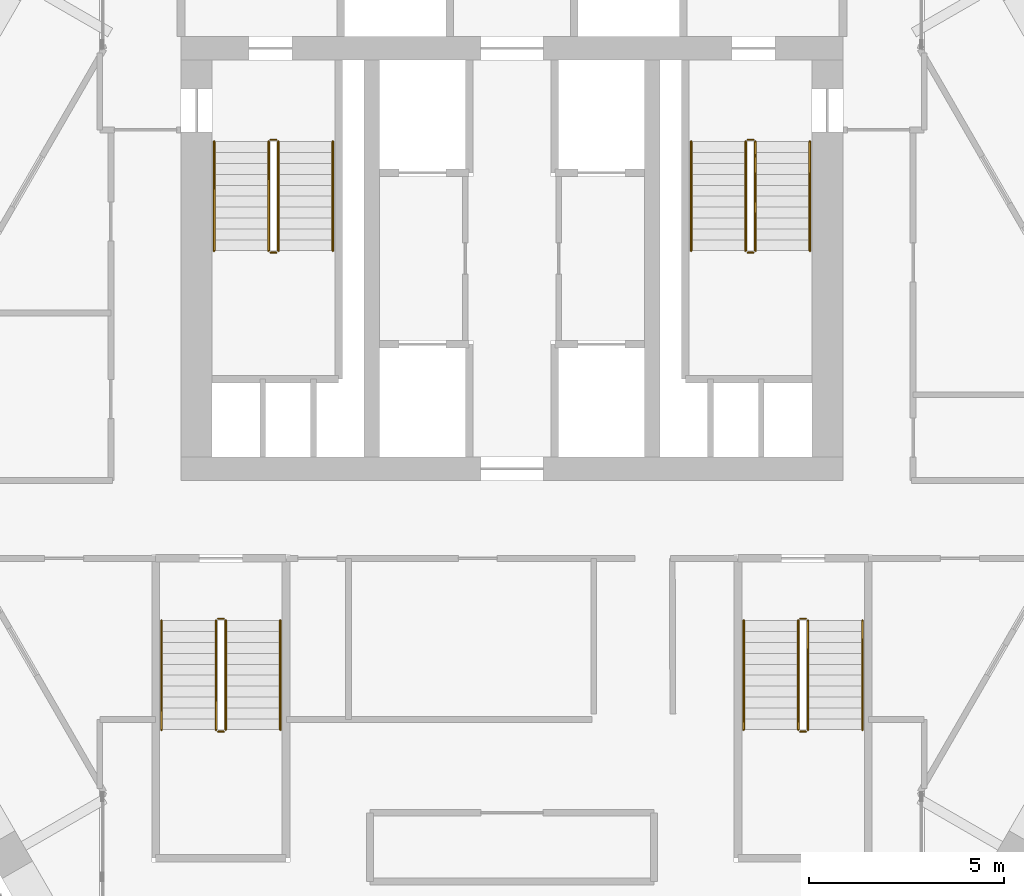
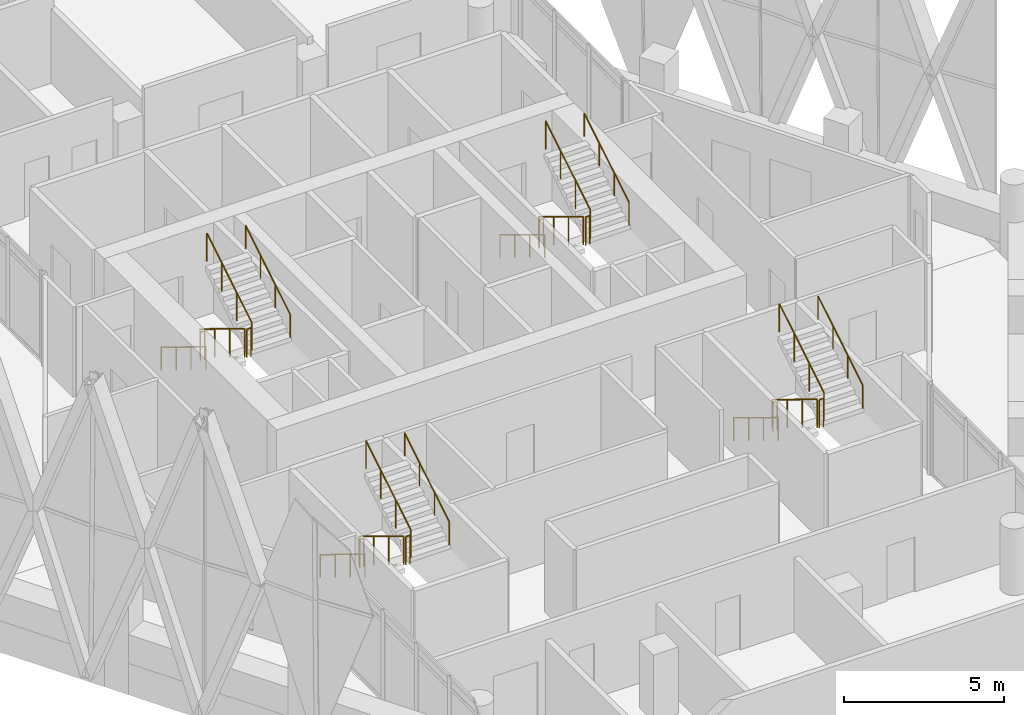
# One storey, part 37 of 37: 24 railings.
"""IFC4 building model written with IfcOpenShell, lengths in metres."""

from ifc_helpers import new_model, si_unit, direction, frame, origin, origin_2d, place, context, subcontext, project, spatial, circle, extrude, material, type_object, element, save


model = new_model("IFC4")

# Units and contexts
model_context = context("Model", 3, precision=1e-05, world=origin(), true_north=direction((0.0, 1.0)))
body_context = subcontext(model_context, "Body", "Model", "MODEL_VIEW")
ifc_project = project(units=[si_unit("LENGTHUNIT", "METRE"), si_unit("AREAUNIT", "SQUARE_METRE"), si_unit("VOLUMEUNIT", "CUBIC_METRE"), si_unit("PLANEANGLEUNIT", "RADIAN"), si_unit("MASSUNIT", "GRAM", prefix="KILO")], contexts=[model_context])

# Site, building, storey
site_placement = place(None, origin())
site = spatial("IfcSite", under=ifc_project, at=site_placement, CompositionType="ELEMENT")
building_placement = place(site_placement, origin())
building = spatial("IfcBuilding", under=site, at=building_placement, Name="Ostrander Bayou Hotel Tower", CompositionType="ELEMENT")
storey_placement = place(building_placement, frame((0.0, 0.0, 225.75)))
storey = spatial("IfcBuildingStorey", under=building, at=storey_placement, Name="L56", CompositionType="ELEMENT", Elevation=225.75)

# Railings
ifc_material_1 = material(Name="Steel ASTM A500 Gr C", Category="steel")
railing_type_1 = type_object("IfcRailingType", Name="GR1 stair guard 1100 mm steel", PredefinedType="GUARDRAIL", material=ifc_material_1)
railing_1_placement = place(storey_placement, frame((-6.25, 7.0, 0.17041015625)))
element("IfcRailing", 1, at=railing_1_placement, inside=storey, type_object=railing_type_1, Name="L56 STA stair guard 1", PredefinedType="GUARDRAIL", context=body_context, shape_type="SweptSolid", body=[
    extrude(circle(Radius=0.02392578125, at=origin_2d()), frame((0.0, 0.0, 1.076171875), z_axis=(0.0, -0.854169791009, 0.51999420009), x_axis=(1.0, 0.0, 0.0)), (0.0, 0.0, 1.0), 3.278076171875),
    extrude(circle(Radius=0.02099609375, at=origin_2d()), origin(), (0.0, 0.0, 1.0), 1.052001953125),
    extrude(circle(Radius=0.02099609375, at=origin_2d()), frame((0.0, -0.933349609375, 0.568115234375)), (0.0, 0.0, 1.0), 1.052001953125),
    extrude(circle(Radius=0.02099609375, at=origin_2d()), frame((0.0, -1.86669921875, 1.136474609375)), (0.0, 0.0, 1.0), 1.052001953125),
    extrude(circle(Radius=0.02099609375, at=origin_2d()), frame((0.0, -2.800048828125, 1.70458984375)), (0.0, 0.0, 1.0), 1.052001953125),
])
railing_2_placement = place(storey_placement, frame((-6.199951171875, 4.14990234375, 1.875)))
element("IfcRailing", 2, at=railing_2_placement, inside=storey, type_object=railing_type_1, Name="L56 STA stair guard 2", PredefinedType="GUARDRAIL", context=body_context, shape_type="SweptSolid", body=[
    extrude(circle(Radius=0.02392578125, at=origin_2d()), frame((0.0, 0.0, 1.076171875), z_axis=(1.0, 0.0, 0.0), x_axis=(0.0, 1.0, 0.0)), (0.0, 0.0, 1.0), 0.14990234375),
    extrude(circle(Radius=0.02099609375, at=origin_2d()), origin(), (0.0, 0.0, 1.0), 1.052001953125),
    extrude(circle(Radius=0.02099609375, at=origin_2d()), frame((0.14990234375, 0.0, 0.0)), (0.0, 0.0, 1.0), 1.052001953125),
])
railing_3_placement = place(storey_placement, frame((-6.0, 4.199951171875, 2.04541015625)))
element("IfcRailing", 3, at=railing_3_placement, inside=storey, type_object=railing_type_1, Name="L56 STA stair guard 3", PredefinedType="GUARDRAIL", context=body_context, shape_type="SweptSolid", body=[
    extrude(circle(Radius=0.02392578125, at=origin_2d()), frame((0.0, 0.0, 1.076171875), z_axis=(0.0, 0.854169791009, 0.51999420009), x_axis=(-1.0, 0.0, 0.0)), (0.0, 0.0, 1.0), 3.278076171875),
    extrude(circle(Radius=0.02099609375, at=origin_2d()), origin(), (0.0, 0.0, 1.0), 1.052001953125),
    extrude(circle(Radius=0.02099609375, at=origin_2d()), frame((0.0, 0.933349609375, 0.568115234375)), (0.0, 0.0, 1.0), 1.052001953125),
    extrude(circle(Radius=0.02099609375, at=origin_2d()), frame((0.0, 1.86669921875, 1.136474609375)), (0.0, 0.0, 1.0), 1.052001953125),
    extrude(circle(Radius=0.02099609375, at=origin_2d()), frame((0.0, 2.800048828125, 1.70458984375)), (0.0, 0.0, 1.0), 1.052001953125),
])
railing_4_placement = place(storey_placement, frame((-6.199951171875, 7.050048828125, 0.0)))
element("IfcRailing", 4, at=railing_4_placement, inside=storey, type_object=railing_type_1, Name="L56 STA stair guard 4", PredefinedType="GUARDRAIL", context=body_context, shape_type="SweptSolid", body=[
    extrude(circle(Radius=0.02392578125, at=origin_2d()), frame((0.0, 0.0, 1.076171875), z_axis=(1.0, 0.0, 0.0), x_axis=(0.0, 1.0, 0.0)), (0.0, 0.0, 1.0), 0.14990234375),
    extrude(circle(Radius=0.02099609375, at=origin_2d()), origin(), (0.0, 0.0, 1.0), 1.052001953125),
    extrude(circle(Radius=0.02099609375, at=origin_2d()), frame((0.14990234375, 0.0, 0.0)), (0.0, 0.0, 1.0), 1.052001953125),
])
railing_5_placement = place(storey_placement, frame((6.0, 7.0, 0.17041015625)))
element("IfcRailing", 5, at=railing_5_placement, inside=storey, type_object=railing_type_1, Name="L56 STB stair guard 1", PredefinedType="GUARDRAIL", context=body_context, shape_type="SweptSolid", body=[
    extrude(circle(Radius=0.02392578125, at=origin_2d()), frame((0.0, 0.0, 1.076171875), z_axis=(0.0, -0.854169791009, 0.51999420009), x_axis=(1.0, 0.0, 0.0)), (0.0, 0.0, 1.0), 3.278076171875),
    extrude(circle(Radius=0.02099609375, at=origin_2d()), origin(), (0.0, 0.0, 1.0), 1.052001953125),
    extrude(circle(Radius=0.02099609375, at=origin_2d()), frame((0.0, -0.933349609375, 0.568115234375)), (0.0, 0.0, 1.0), 1.052001953125),
    extrude(circle(Radius=0.02099609375, at=origin_2d()), frame((0.0, -1.86669921875, 1.136474609375)), (0.0, 0.0, 1.0), 1.052001953125),
    extrude(circle(Radius=0.02099609375, at=origin_2d()), frame((0.0, -2.800048828125, 1.70458984375)), (0.0, 0.0, 1.0), 1.052001953125),
])
railing_6_placement = place(storey_placement, frame((6.050048828125, 4.14990234375, 1.875)))
element("IfcRailing", 6, at=railing_6_placement, inside=storey, type_object=railing_type_1, Name="L56 STB stair guard 2", PredefinedType="GUARDRAIL", context=body_context, shape_type="SweptSolid", body=[
    extrude(circle(Radius=0.02392578125, at=origin_2d()), frame((0.0, 0.0, 1.076171875), z_axis=(1.0, 0.0, 0.0), x_axis=(0.0, 1.0, 0.0)), (0.0, 0.0, 1.0), 0.14990234375),
    extrude(circle(Radius=0.02099609375, at=origin_2d()), origin(), (0.0, 0.0, 1.0), 1.052001953125),
    extrude(circle(Radius=0.02099609375, at=origin_2d()), frame((0.14990234375, 0.0, 0.0)), (0.0, 0.0, 1.0), 1.052001953125),
])
railing_7_placement = place(storey_placement, frame((6.25, 4.199951171875, 2.04541015625)))
element("IfcRailing", 7, at=railing_7_placement, inside=storey, type_object=railing_type_1, Name="L56 STB stair guard 3", PredefinedType="GUARDRAIL", context=body_context, shape_type="SweptSolid", body=[
    extrude(circle(Radius=0.02392578125, at=origin_2d()), frame((0.0, 0.0, 1.076171875), z_axis=(0.0, 0.854169791009, 0.51999420009), x_axis=(-1.0, 0.0, 0.0)), (0.0, 0.0, 1.0), 3.278076171875),
    extrude(circle(Radius=0.02099609375, at=origin_2d()), origin(), (0.0, 0.0, 1.0), 1.052001953125),
    extrude(circle(Radius=0.02099609375, at=origin_2d()), frame((0.0, 0.933349609375, 0.568115234375)), (0.0, 0.0, 1.0), 1.052001953125),
    extrude(circle(Radius=0.02099609375, at=origin_2d()), frame((0.0, 1.86669921875, 1.136474609375)), (0.0, 0.0, 1.0), 1.052001953125),
    extrude(circle(Radius=0.02099609375, at=origin_2d()), frame((0.0, 2.800048828125, 1.70458984375)), (0.0, 0.0, 1.0), 1.052001953125),
])
railing_8_placement = place(storey_placement, frame((6.050048828125, 7.050048828125, 0.0)))
element("IfcRailing", 8, at=railing_8_placement, inside=storey, type_object=railing_type_1, Name="L56 STB stair guard 4", PredefinedType="GUARDRAIL", context=body_context, shape_type="SweptSolid", body=[
    extrude(circle(Radius=0.02392578125, at=origin_2d()), frame((0.0, 0.0, 1.076171875), z_axis=(1.0, 0.0, 0.0), x_axis=(0.0, 1.0, 0.0)), (0.0, 0.0, 1.0), 0.14990234375),
    extrude(circle(Radius=0.02099609375, at=origin_2d()), origin(), (0.0, 0.0, 1.0), 1.052001953125),
    extrude(circle(Radius=0.02099609375, at=origin_2d()), frame((0.14990234375, 0.0, 0.0)), (0.0, 0.0, 1.0), 1.052001953125),
])
railing_9_placement = place(storey_placement, frame((7.35009765625, -5.300048828125, 0.17041015625)))
element("IfcRailing", 9, at=railing_9_placement, inside=storey, type_object=railing_type_1, Name="L56 STC stair guard 1", PredefinedType="GUARDRAIL", context=body_context, shape_type="SweptSolid", body=[
    extrude(circle(Radius=0.02392578125, at=origin_2d()), frame((0.0, 0.0, 1.076171875), z_axis=(0.0, -0.854169791009, 0.51999420009), x_axis=(1.0, 0.0, 0.0)), (0.0, 0.0, 1.0), 3.278076171875),
    extrude(circle(Radius=0.02099609375, at=origin_2d()), origin(), (0.0, 0.0, 1.0), 1.052001953125),
    extrude(circle(Radius=0.02099609375, at=origin_2d()), frame((0.0, -0.933349609375, 0.568115234375)), (0.0, 0.0, 1.0), 1.052001953125),
    extrude(circle(Radius=0.02099609375, at=origin_2d()), frame((0.0, -1.86669921875, 1.136474609375)), (0.0, 0.0, 1.0), 1.052001953125),
    extrude(circle(Radius=0.02099609375, at=origin_2d()), frame((0.0, -2.800048828125, 1.70458984375)), (0.0, 0.0, 1.0), 1.052001953125),
])
railing_10_placement = place(storey_placement, frame((7.39990234375, -8.14990234375, 1.875)))
element("IfcRailing", 10, at=railing_10_placement, inside=storey, type_object=railing_type_1, Name="L56 STC stair guard 2", PredefinedType="GUARDRAIL", context=body_context, shape_type="SweptSolid", body=[
    extrude(circle(Radius=0.02392578125, at=origin_2d()), frame((0.0, 0.0, 1.076171875), z_axis=(1.0, 0.0, 0.0), x_axis=(0.0, 1.0, 0.0)), (0.0, 0.0, 1.0), 0.150146484375),
    extrude(circle(Radius=0.02099609375, at=origin_2d()), origin(), (0.0, 0.0, 1.0), 1.052001953125),
    extrude(circle(Radius=0.02099609375, at=origin_2d()), frame((0.150146484375, 0.0, 0.0)), (0.0, 0.0, 1.0), 1.052001953125),
])
railing_11_placement = place(storey_placement, frame((7.60009765625, -8.10009765625, 2.04541015625)))
element("IfcRailing", 11, at=railing_11_placement, inside=storey, type_object=railing_type_1, Name="L56 STC stair guard 3", PredefinedType="GUARDRAIL", context=body_context, shape_type="SweptSolid", body=[
    extrude(circle(Radius=0.02392578125, at=origin_2d()), frame((0.0, 0.0, 1.076171875), z_axis=(0.0, 0.854169791009, 0.51999420009), x_axis=(-1.0, 0.0, 0.0)), (0.0, 0.0, 1.0), 3.278076171875),
    extrude(circle(Radius=0.02099609375, at=origin_2d()), origin(), (0.0, 0.0, 1.0), 1.052001953125),
    extrude(circle(Radius=0.02099609375, at=origin_2d()), frame((0.0, 0.933349609375, 0.568115234375)), (0.0, 0.0, 1.0), 1.052001953125),
    extrude(circle(Radius=0.02099609375, at=origin_2d()), frame((0.0, 1.86669921875, 1.136474609375)), (0.0, 0.0, 1.0), 1.052001953125),
    extrude(circle(Radius=0.02099609375, at=origin_2d()), frame((0.0, 2.800048828125, 1.70458984375)), (0.0, 0.0, 1.0), 1.052001953125),
])
railing_12_placement = place(storey_placement, frame((7.39990234375, -5.25, 0.0)))
element("IfcRailing", 12, at=railing_12_placement, inside=storey, type_object=railing_type_1, Name="L56 STC stair guard 4", PredefinedType="GUARDRAIL", context=body_context, shape_type="SweptSolid", body=[
    extrude(circle(Radius=0.02392578125, at=origin_2d()), frame((0.0, 0.0, 1.076171875), z_axis=(1.0, 0.0, 0.0), x_axis=(0.0, 1.0, 0.0)), (0.0, 0.0, 1.0), 0.150146484375),
    extrude(circle(Radius=0.02099609375, at=origin_2d()), origin(), (0.0, 0.0, 1.0), 1.052001953125),
    extrude(circle(Radius=0.02099609375, at=origin_2d()), frame((0.150146484375, 0.0, 0.0)), (0.0, 0.0, 1.0), 1.052001953125),
])
railing_13_placement = place(storey_placement, frame((-7.60009765625, -5.300048828125, 0.17041015625)))
element("IfcRailing", 13, at=railing_13_placement, inside=storey, type_object=railing_type_1, Name="L56 STD stair guard 1", PredefinedType="GUARDRAIL", context=body_context, shape_type="SweptSolid", body=[
    extrude(circle(Radius=0.02392578125, at=origin_2d()), frame((0.0, 0.0, 1.076171875), z_axis=(0.0, -0.854169791009, 0.51999420009), x_axis=(1.0, 0.0, 0.0)), (0.0, 0.0, 1.0), 3.278076171875),
    extrude(circle(Radius=0.02099609375, at=origin_2d()), origin(), (0.0, 0.0, 1.0), 1.052001953125),
    extrude(circle(Radius=0.02099609375, at=origin_2d()), frame((0.0, -0.933349609375, 0.568115234375)), (0.0, 0.0, 1.0), 1.052001953125),
    extrude(circle(Radius=0.02099609375, at=origin_2d()), frame((0.0, -1.86669921875, 1.136474609375)), (0.0, 0.0, 1.0), 1.052001953125),
    extrude(circle(Radius=0.02099609375, at=origin_2d()), frame((0.0, -2.800048828125, 1.70458984375)), (0.0, 0.0, 1.0), 1.052001953125),
])
railing_14_placement = place(storey_placement, frame((-7.550048828125, -8.14990234375, 1.875)))
element("IfcRailing", 14, at=railing_14_placement, inside=storey, type_object=railing_type_1, Name="L56 STD stair guard 2", PredefinedType="GUARDRAIL", context=body_context, shape_type="SweptSolid", body=[
    extrude(circle(Radius=0.02392578125, at=origin_2d()), frame((0.0, 0.0, 1.076171875), z_axis=(1.0, 0.0, 0.0), x_axis=(0.0, 1.0, 0.0)), (0.0, 0.0, 1.0), 0.150146484375),
    extrude(circle(Radius=0.02099609375, at=origin_2d()), origin(), (0.0, 0.0, 1.0), 1.052001953125),
    extrude(circle(Radius=0.02099609375, at=origin_2d()), frame((0.150146484375, 0.0, 0.0)), (0.0, 0.0, 1.0), 1.052001953125),
])
railing_15_placement = place(storey_placement, frame((-7.35009765625, -8.10009765625, 2.04541015625)))
element("IfcRailing", 15, at=railing_15_placement, inside=storey, type_object=railing_type_1, Name="L56 STD stair guard 3", PredefinedType="GUARDRAIL", context=body_context, shape_type="SweptSolid", body=[
    extrude(circle(Radius=0.02392578125, at=origin_2d()), frame((0.0, 0.0, 1.076171875), z_axis=(0.0, 0.854169791009, 0.51999420009), x_axis=(-1.0, 0.0, 0.0)), (0.0, 0.0, 1.0), 3.278076171875),
    extrude(circle(Radius=0.02099609375, at=origin_2d()), origin(), (0.0, 0.0, 1.0), 1.052001953125),
    extrude(circle(Radius=0.02099609375, at=origin_2d()), frame((0.0, 0.933349609375, 0.568115234375)), (0.0, 0.0, 1.0), 1.052001953125),
    extrude(circle(Radius=0.02099609375, at=origin_2d()), frame((0.0, 1.86669921875, 1.136474609375)), (0.0, 0.0, 1.0), 1.052001953125),
    extrude(circle(Radius=0.02099609375, at=origin_2d()), frame((0.0, 2.800048828125, 1.70458984375)), (0.0, 0.0, 1.0), 1.052001953125),
])
railing_16_placement = place(storey_placement, frame((-7.550048828125, -5.25, 0.0)))
element("IfcRailing", 16, at=railing_16_placement, inside=storey, type_object=railing_type_1, Name="L56 STD stair guard 4", PredefinedType="GUARDRAIL", context=body_context, shape_type="SweptSolid", body=[
    extrude(circle(Radius=0.02392578125, at=origin_2d()), frame((0.0, 0.0, 1.076171875), z_axis=(1.0, 0.0, 0.0), x_axis=(0.0, 1.0, 0.0)), (0.0, 0.0, 1.0), 0.150146484375),
    extrude(circle(Radius=0.02099609375, at=origin_2d()), origin(), (0.0, 0.0, 1.0), 1.052001953125),
    extrude(circle(Radius=0.02099609375, at=origin_2d()), frame((0.150146484375, 0.0, 0.0)), (0.0, 0.0, 1.0), 1.052001953125),
])
ifc_material_2 = material(Name="Steel ASTM A500 Gr C", Category="steel")
railing_type_2 = type_object("IfcRailingType", Name="HR1 stair handrail 900 mm steel", PredefinedType="HANDRAIL", material=ifc_material_2)
railing_17_placement = place(storey_placement, frame((-7.64990234375, 7.0, 0.17041015625)))
element("IfcRailing", 17, at=railing_17_placement, inside=storey, type_object=railing_type_2, Name="L56 STA stair handrail 1", PredefinedType="HANDRAIL", context=body_context, shape_type="SweptSolid", body=[
    extrude(circle(Radius=0.02392578125, at=origin_2d()), frame((0.0, 0.0, 0.8759765625), z_axis=(0.0, -0.854169791009, 0.51999420009), x_axis=(1.0, 0.0, 0.0)), (0.0, 0.0, 1.0), 3.278076171875),
    extrude(circle(Radius=0.02099609375, at=origin_2d()), origin(), (0.0, 0.0, 1.0), 0.851806640625),
    extrude(circle(Radius=0.02099609375, at=origin_2d()), frame((0.0, -0.933349609375, 0.568115234375)), (0.0, 0.0, 1.0), 0.851806640625),
    extrude(circle(Radius=0.02099609375, at=origin_2d()), frame((0.0, -1.86669921875, 1.136474609375)), (0.0, 0.0, 1.0), 0.851806640625),
    extrude(circle(Radius=0.02099609375, at=origin_2d()), frame((0.0, -2.800048828125, 1.70458984375)), (0.0, 0.0, 1.0), 0.851806640625),
])
railing_18_placement = place(storey_placement, frame((-4.60009765625, 4.199951171875, 2.04541015625)))
element("IfcRailing", 18, at=railing_18_placement, inside=storey, type_object=railing_type_2, Name="L56 STA stair handrail 2", PredefinedType="HANDRAIL", context=body_context, shape_type="SweptSolid", body=[
    extrude(circle(Radius=0.02392578125, at=origin_2d()), frame((0.0, 0.0, 0.8759765625), z_axis=(0.0, 0.854169791009, 0.51999420009), x_axis=(-1.0, 0.0, 0.0)), (0.0, 0.0, 1.0), 3.278076171875),
    extrude(circle(Radius=0.02099609375, at=origin_2d()), origin(), (0.0, 0.0, 1.0), 0.851806640625),
    extrude(circle(Radius=0.02099609375, at=origin_2d()), frame((0.0, 0.933349609375, 0.568115234375)), (0.0, 0.0, 1.0), 0.851806640625),
    extrude(circle(Radius=0.02099609375, at=origin_2d()), frame((0.0, 1.86669921875, 1.136474609375)), (0.0, 0.0, 1.0), 0.851806640625),
    extrude(circle(Radius=0.02099609375, at=origin_2d()), frame((0.0, 2.800048828125, 1.70458984375)), (0.0, 0.0, 1.0), 0.851806640625),
])
railing_19_placement = place(storey_placement, frame((4.60009765625, 7.0, 0.17041015625)))
element("IfcRailing", 19, at=railing_19_placement, inside=storey, type_object=railing_type_2, Name="L56 STB stair handrail 1", PredefinedType="HANDRAIL", context=body_context, shape_type="SweptSolid", body=[
    extrude(circle(Radius=0.02392578125, at=origin_2d()), frame((0.0, 0.0, 0.8759765625), z_axis=(0.0, -0.854169791009, 0.51999420009), x_axis=(1.0, 0.0, 0.0)), (0.0, 0.0, 1.0), 3.278076171875),
    extrude(circle(Radius=0.02099609375, at=origin_2d()), origin(), (0.0, 0.0, 1.0), 0.851806640625),
    extrude(circle(Radius=0.02099609375, at=origin_2d()), frame((0.0, -0.933349609375, 0.568115234375)), (0.0, 0.0, 1.0), 0.851806640625),
    extrude(circle(Radius=0.02099609375, at=origin_2d()), frame((0.0, -1.86669921875, 1.136474609375)), (0.0, 0.0, 1.0), 0.851806640625),
    extrude(circle(Radius=0.02099609375, at=origin_2d()), frame((0.0, -2.800048828125, 1.70458984375)), (0.0, 0.0, 1.0), 0.851806640625),
])
railing_20_placement = place(storey_placement, frame((7.64990234375, 4.199951171875, 2.04541015625)))
element("IfcRailing", 20, at=railing_20_placement, inside=storey, type_object=railing_type_2, Name="L56 STB stair handrail 2", PredefinedType="HANDRAIL", context=body_context, shape_type="SweptSolid", body=[
    extrude(circle(Radius=0.02392578125, at=origin_2d()), frame((0.0, 0.0, 0.8759765625), z_axis=(0.0, 0.854169791009, 0.51999420009), x_axis=(-1.0, 0.0, 0.0)), (0.0, 0.0, 1.0), 3.278076171875),
    extrude(circle(Radius=0.02099609375, at=origin_2d()), origin(), (0.0, 0.0, 1.0), 0.851806640625),
    extrude(circle(Radius=0.02099609375, at=origin_2d()), frame((0.0, 0.933349609375, 0.568115234375)), (0.0, 0.0, 1.0), 0.851806640625),
    extrude(circle(Radius=0.02099609375, at=origin_2d()), frame((0.0, 1.86669921875, 1.136474609375)), (0.0, 0.0, 1.0), 0.851806640625),
    extrude(circle(Radius=0.02099609375, at=origin_2d()), frame((0.0, 2.800048828125, 1.70458984375)), (0.0, 0.0, 1.0), 0.851806640625),
])
railing_21_placement = place(storey_placement, frame((5.949951171875, -5.300048828125, 0.17041015625)))
element("IfcRailing", 21, at=railing_21_placement, inside=storey, type_object=railing_type_2, Name="L56 STC stair handrail 1", PredefinedType="HANDRAIL", context=body_context, shape_type="SweptSolid", body=[
    extrude(circle(Radius=0.02392578125, at=origin_2d()), frame((0.0, 0.0, 0.8759765625), z_axis=(0.0, -0.854169791009, 0.51999420009), x_axis=(1.0, 0.0, 0.0)), (0.0, 0.0, 1.0), 3.278076171875),
    extrude(circle(Radius=0.02099609375, at=origin_2d()), origin(), (0.0, 0.0, 1.0), 0.851806640625),
    extrude(circle(Radius=0.02099609375, at=origin_2d()), frame((0.0, -0.933349609375, 0.568115234375)), (0.0, 0.0, 1.0), 0.851806640625),
    extrude(circle(Radius=0.02099609375, at=origin_2d()), frame((0.0, -1.86669921875, 1.136474609375)), (0.0, 0.0, 1.0), 0.851806640625),
    extrude(circle(Radius=0.02099609375, at=origin_2d()), frame((0.0, -2.800048828125, 1.70458984375)), (0.0, 0.0, 1.0), 0.851806640625),
])
railing_22_placement = place(storey_placement, frame((9.0, -8.10009765625, 2.04541015625)))
element("IfcRailing", 22, at=railing_22_placement, inside=storey, type_object=railing_type_2, Name="L56 STC stair handrail 2", PredefinedType="HANDRAIL", context=body_context, shape_type="SweptSolid", body=[
    extrude(circle(Radius=0.02392578125, at=origin_2d()), frame((0.0, 0.0, 0.8759765625), z_axis=(0.0, 0.854169791009, 0.51999420009), x_axis=(-1.0, 0.0, 0.0)), (0.0, 0.0, 1.0), 3.278076171875),
    extrude(circle(Radius=0.02099609375, at=origin_2d()), origin(), (0.0, 0.0, 1.0), 0.851806640625),
    extrude(circle(Radius=0.02099609375, at=origin_2d()), frame((0.0, 0.933349609375, 0.568115234375)), (0.0, 0.0, 1.0), 0.851806640625),
    extrude(circle(Radius=0.02099609375, at=origin_2d()), frame((0.0, 1.86669921875, 1.136474609375)), (0.0, 0.0, 1.0), 0.851806640625),
    extrude(circle(Radius=0.02099609375, at=origin_2d()), frame((0.0, 2.800048828125, 1.70458984375)), (0.0, 0.0, 1.0), 0.851806640625),
])
railing_23_placement = place(storey_placement, frame((-9.0, -5.300048828125, 0.17041015625)))
element("IfcRailing", 23, at=railing_23_placement, inside=storey, type_object=railing_type_2, Name="L56 STD stair handrail 1", PredefinedType="HANDRAIL", context=body_context, shape_type="SweptSolid", body=[
    extrude(circle(Radius=0.02392578125, at=origin_2d()), frame((0.0, 0.0, 0.8759765625), z_axis=(0.0, -0.854169791009, 0.51999420009), x_axis=(1.0, 0.0, 0.0)), (0.0, 0.0, 1.0), 3.278076171875),
    extrude(circle(Radius=0.02099609375, at=origin_2d()), origin(), (0.0, 0.0, 1.0), 0.851806640625),
    extrude(circle(Radius=0.02099609375, at=origin_2d()), frame((0.0, -0.933349609375, 0.568115234375)), (0.0, 0.0, 1.0), 0.851806640625),
    extrude(circle(Radius=0.02099609375, at=origin_2d()), frame((0.0, -1.86669921875, 1.136474609375)), (0.0, 0.0, 1.0), 0.851806640625),
    extrude(circle(Radius=0.02099609375, at=origin_2d()), frame((0.0, -2.800048828125, 1.70458984375)), (0.0, 0.0, 1.0), 0.851806640625),
])
railing_24_placement = place(storey_placement, frame((-5.949951171875, -8.10009765625, 2.04541015625)))
element("IfcRailing", 24, at=railing_24_placement, inside=storey, type_object=railing_type_2, Name="L56 STD stair handrail 2", PredefinedType="HANDRAIL", context=body_context, shape_type="SweptSolid", body=[
    extrude(circle(Radius=0.02392578125, at=origin_2d()), frame((0.0, 0.0, 0.8759765625), z_axis=(0.0, 0.854169791009, 0.51999420009), x_axis=(-1.0, 0.0, 0.0)), (0.0, 0.0, 1.0), 3.278076171875),
    extrude(circle(Radius=0.02099609375, at=origin_2d()), origin(), (0.0, 0.0, 1.0), 0.851806640625),
    extrude(circle(Radius=0.02099609375, at=origin_2d()), frame((0.0, 0.933349609375, 0.568115234375)), (0.0, 0.0, 1.0), 0.851806640625),
    extrude(circle(Radius=0.02099609375, at=origin_2d()), frame((0.0, 1.86669921875, 1.136474609375)), (0.0, 0.0, 1.0), 0.851806640625),
    extrude(circle(Radius=0.02099609375, at=origin_2d()), frame((0.0, 2.800048828125, 1.70458984375)), (0.0, 0.0, 1.0), 0.851806640625),
])

save(model, "model.ifc")
